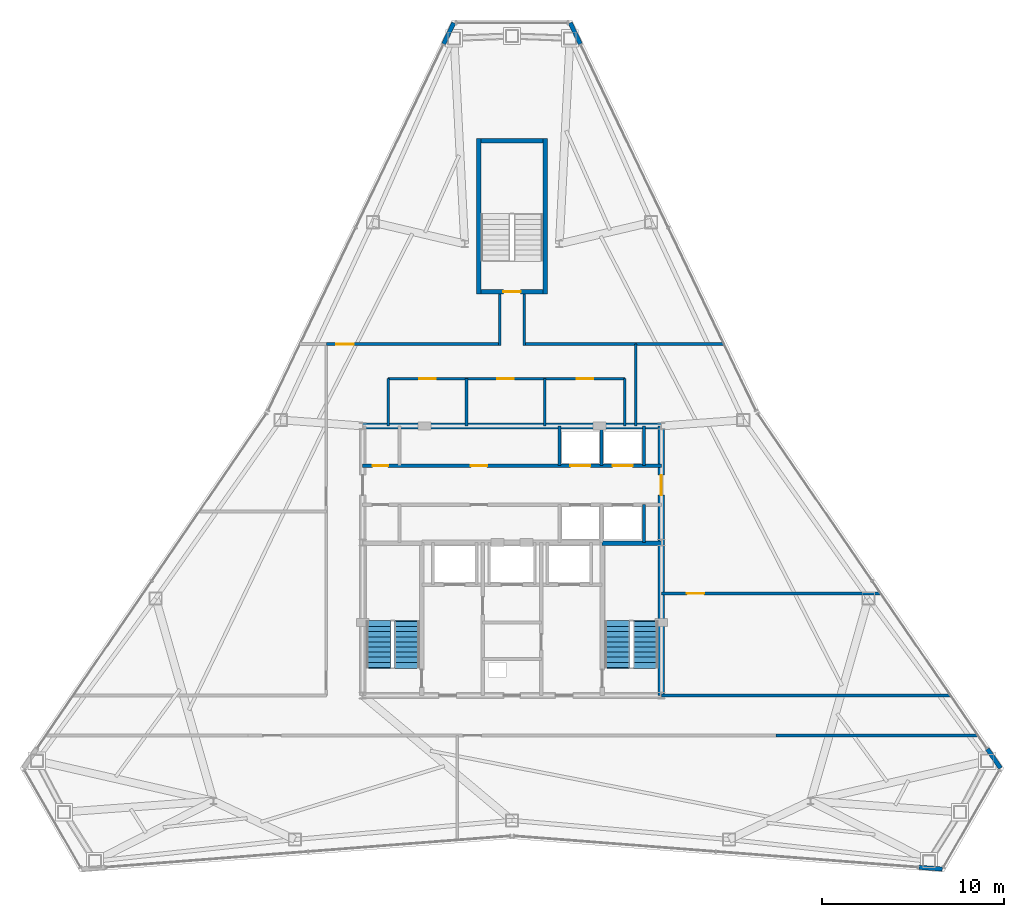
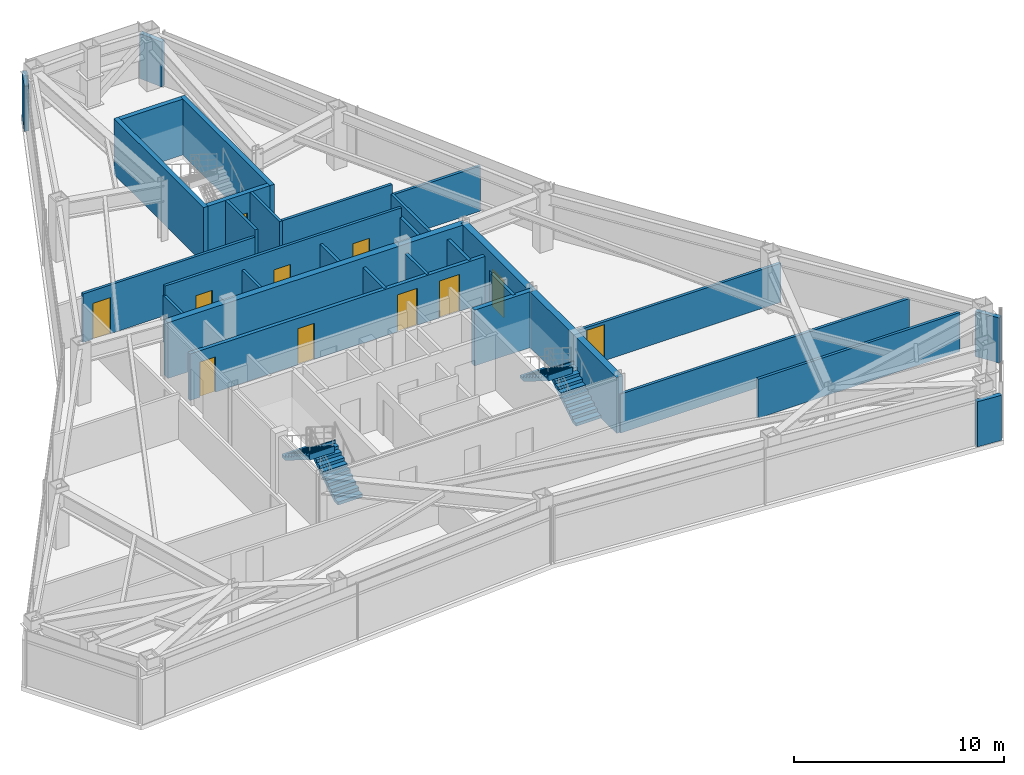
# One storey, part 10 of 12: 30 walls, 11 doors, 4 stair flights, 11 openings, 2 elements without a shape of their own.
"""IFC4 building model written with IfcOpenShell, lengths in metres."""

from ifc_helpers import new_model, si_unit, direction, frame, frame_2d, origin, place, context, subcontext, project, spatial, polyline, rectangle, outline, extrude, material, layer, layer_set, type_object, element, fill, aggregate, save


model = new_model("IFC4")

# Units and contexts
model_context = context("Model", 3, precision=1e-05, world=origin(), true_north=direction((0.0, 1.0)))
body_context = subcontext(model_context, "Body", "Model", "MODEL_VIEW")
ifc_project = project(units=[si_unit("LENGTHUNIT", "METRE"), si_unit("AREAUNIT", "SQUARE_METRE"), si_unit("VOLUMEUNIT", "CUBIC_METRE"), si_unit("PLANEANGLEUNIT", "RADIAN"), si_unit("MASSUNIT", "GRAM", prefix="KILO")], contexts=[model_context])

# Site, building, storey
site_placement = place(None, origin())
site = spatial("IfcSite", under=ifc_project, at=site_placement, CompositionType="ELEMENT")
building_placement = place(site_placement, origin())
building = spatial("IfcBuilding", under=site, at=building_placement, Name="Varakhsha Concourse Tower", CompositionType="ELEMENT")
storey_placement = place(building_placement, frame((0.0, 0.0, 222.39990234375)))
storey = spatial("IfcBuildingStorey", under=building, at=storey_placement, Name="L63", CompositionType="ELEMENT", Elevation=222.39990234375)

# Wall
ifc_material_1 = material(Name="Concrete fc 65 MPa", Category="concrete")
ifc_layer_1 = layer(ifc_material_1, 0.35009765625, Name="WL-CORE-350")
ifc_layer_set_1 = layer_set([ifc_layer_1], Name="Concrete fc 65 MPa")
wall_type_1 = type_object("IfcWallType", Name="WL-CORE-350", PredefinedType="SHEAR", material=ifc_layer_set_1)
wall_1_placement = place(storey_placement, frame((31.800048828125, 31.199951171875, 0.0), z_axis=(0.0, 0.0, 1.0), x_axis=(1.0, 0.0, 0.0)))
element("IfcWall", 1, at=wall_1_placement, inside=storey, type_object=wall_type_1, Name="L63 Wall CWALL-N-L63", PredefinedType="SHEAR", context=body_context, shape_type="SweptSolid", body=[
    extrude(rectangle(XDim=16.39990234375, YDim=0.35009765625, at=frame_2d((8.199951171875, 0.0))), origin(), (0.0, 0.0, 1.0), 3.25),
])

# Wall, opening, door
wall_2_placement = place(storey_placement, frame((48.199951171875, 16.39990234375, 0.0), z_axis=(0.0, 0.0, 1.0), x_axis=(0.0, 1.0, 0.0)))
wall_2 = element("IfcWall", 2, at=wall_2_placement, inside=storey, type_object=wall_type_1, Name="L63 Wall CWALL-E-L63", PredefinedType="SHEAR", context=body_context, shape_type="SweptSolid", body=[
    extrude(rectangle(XDim=14.800048828125, YDim=0.35009765625, at=frame_2d((7.39990234375, 0.0))), origin(), (0.0, 0.0, 1.0), 3.25),
])
opening_1_placement = place(wall_2_placement, frame((11.0, 0.0, 0.0)))
opening_1 = element("IfcOpeningElement", 3, at=opening_1_placement, cuts=wall_2, Name="Opening DL-01", PredefinedType="OPENING", context=body_context, shape_type="SweptSolid", body=[
    extrude(rectangle(XDim=1.10009765625, YDim=2.14990234375, at=frame_2d((0.550048828125, 1.074951171875))), frame((0.0, 0.18505859375, 0.0), z_axis=(0.0, -1.0, 0.0), x_axis=(1.0, 0.0, 0.0)), (0.0, 0.0, 1.0), 0.3701171875),
])
ifc_material_2 = material(Name="Anodised Bronze Architectural Aluminium AA 6063-T6", Category="aluminium")
door_type_1 = type_object("IfcDoorType", Name="DR-LOB-1100", OperationType="NOTDEFINED", PredefinedType="DOOR", material=ifc_material_2)
door_1_placement = place(opening_1_placement, origin())
door_1 = element("IfcDoor", 4, at=door_1_placement, inside=storey, type_object=door_type_1, Name="L63 Lift Lobby East Concourse Door", OperationType="SINGLE_SWING_RIGHT", OverallHeight=2.14990234375, OverallWidth=1.10009765625, PredefinedType="DOOR", context=body_context, shape_type="SweptSolid", body=[
    extrude(rectangle(XDim=1.10009765625, YDim=2.14990234375, at=frame_2d((0.550048828125, 1.074951171875))), frame((0.0, 0.02490234375, 0.0), z_axis=(0.0, -1.0, 0.0), x_axis=(1.0, 0.0, 0.0)), (0.0, 0.0, 1.0), 0.050048828125),
])
fill(opening_1, door_1)

# Walls
ifc_material_3 = material(Name="Concrete fc 45 MPa", Category="concrete")
ifc_layer_2 = layer(ifc_material_3, 0.239990234375, Name="WL-EXT-CRN-240")
ifc_layer_set_2 = layer_set([ifc_layer_2], Name="Concrete fc 45 MPa")
wall_type_2 = type_object("IfcWallType", Name="WL-EXT-CRN-240", PredefinedType="SHEAR", material=ifc_layer_set_2)
wall_3_placement = place(storey_placement, frame((36.7998046875, 53.33544921875, 0.0), z_axis=(0.0, 0.0, 1.0), x_axis=(-0.431865736831, -0.901937905485, 0.0)))
element("IfcWall", 5, at=wall_3_placement, inside=storey, type_object=wall_type_2, Name="L63 Wind-Corner Shoulder Wall F2", PredefinedType="SHEAR", context=body_context, shape_type="SweptSolid", body=[
    extrude(rectangle(XDim=1.284423828125, YDim=0.239990234375, at=frame_2d((0.64208984375, 0.0))), origin(), (0.0, 0.0, 1.0), 2.623046875),
])
wall_4_placement = place(storey_placement, frame((62.351318359375, 6.959716796875, 0.0), z_axis=(0.0, 0.0, 1.0), x_axis=(0.997033205721, -0.076972635974, 0.0)))
element("IfcWall", 6, at=wall_4_placement, inside=storey, type_object=wall_type_2, Name="L63 Wind-Corner Shoulder Wall F6", PredefinedType="SHEAR", context=body_context, shape_type="SweptSolid", body=[
    extrude(rectangle(XDim=1.28466796875, YDim=0.239990234375, at=frame_2d((0.642333984375, 0.0))), origin(), (0.0, 0.0, 1.0), 2.623046875),
])
for number, where, z_axis, x_axis, name in (
    (7, (66.832275390625, 12.40380859375, 0.0), (0.0, 0.0, 1.0), (-0.565269764291, 0.824906111978, 0.0), "L63 Wind-Corner Shoulder Wall F8"),
    (8, (43.7548828125, 52.177001953125, 0.0), (0.0, 0.0, 1.0), (-0.431865736831, 0.901937905485, 0.0), "L63 Wind-Corner Shoulder Wall F9"),
):
    element("IfcWall", number, at=place(storey_placement, frame(where, z_axis=z_axis, x_axis=x_axis)), inside=storey, type_object=wall_type_2, Name=name, PredefinedType="SHEAR", context=body_context, shape_type="SweptSolid", body=[
        extrude(rectangle(XDim=1.284423828125, YDim=0.239990234375, at=frame_2d((0.64208984375, 0.0))), origin(), (0.0, 0.0, 1.0), 2.623046875),
    ])

# Wall, openings, doors
ifc_material_4 = material(Name="Fire-Rated Type X Gypsum Partition Assembly", Category="gypsum")
ifc_layer_3 = layer(ifc_material_4, 0.14990234375, Name="WL-PART-150")
ifc_layer_set_3 = layer_set([ifc_layer_3], Name="Fire-Rated Type X Gypsum Partition Assembly")
wall_type_3 = type_object("IfcWallType", Name="WL-PART-150", PredefinedType="PARTITIONING", material=ifc_layer_set_3)
wall_5_placement = place(storey_placement, frame((33.199951171875, 33.800048828125, 0.0), z_axis=(0.0, 0.0, 1.0), x_axis=(1.0, 0.0, 0.0)))
wall_5 = element("IfcWall", 9, at=wall_5_placement, inside=storey, type_object=wall_type_3, Name="L63 Wall NBOH-N-L63", PredefinedType="PARTITIONING", context=body_context, shape_type="SweptSolid", body=[
    extrude(rectangle(XDim=13.0, YDim=0.14990234375, at=frame_2d((6.5, 0.0))), origin(), (0.0, 0.0, 1.0), 3.25),
])
opening_2_placement = place(wall_5_placement, frame((1.699951171875, 0.0, 0.0)))
opening_2 = element("IfcOpeningElement", 10, at=opening_2_placement, cuts=wall_5, Name="Opening DF-06", PredefinedType="OPENING", context=body_context, shape_type="SweptSolid", body=[
    extrude(rectangle(XDim=0.89990234375, YDim=2.10009765625, at=frame_2d((0.449951171875, 1.050048828125))), frame((0.0, 0.0849609375, 0.0), z_axis=(0.0, -1.0, 0.0), x_axis=(1.0, 0.0, 0.0)), (0.0, 0.0, 1.0), 0.169921875),
])
opening_3_placement = place(wall_5_placement, frame((6.0, 0.0, 0.0)))
opening_3 = element("IfcOpeningElement", 11, at=opening_3_placement, cuts=wall_5, Name="Opening DF-06", PredefinedType="OPENING", context=body_context, shape_type="SweptSolid", body=[
    extrude(rectangle(XDim=0.89990234375, YDim=2.10009765625, at=frame_2d((0.449951171875, 1.050048828125))), frame((0.0, 0.0849609375, 0.0), z_axis=(0.0, -1.0, 0.0), x_axis=(1.0, 0.0, 0.0)), (0.0, 0.0, 1.0), 0.169921875),
])
opening_4_placement = place(wall_5_placement, frame((10.35009765625, 0.0, 0.0)))
opening_4 = element("IfcOpeningElement", 12, at=opening_4_placement, cuts=wall_5, Name="Opening DF-06", PredefinedType="OPENING", context=body_context, shape_type="SweptSolid", body=[
    extrude(rectangle(XDim=0.89990234375, YDim=2.10009765625, at=frame_2d((0.449951171875, 1.050048828125))), frame((0.0, 0.0849609375, 0.0), z_axis=(0.0, -1.0, 0.0), x_axis=(1.0, 0.0, 0.0)), (0.0, 0.0, 1.0), 0.169921875),
])
ifc_material_5 = material(Name="Hollow Galvanised Steel Fire Door Assembly", Category="steel")
door_type_2 = type_object("IfcDoorType", Name="DR-FD60-900", OperationType="NOTDEFINED", PredefinedType="DOOR", material=ifc_material_5)
door_2_placement = place(opening_2_placement, origin())
door_2 = element("IfcDoor", 13, at=door_2_placement, inside=storey, type_object=door_type_2, Name="L63 Men Restroom WC Door", OperationType="SINGLE_SWING_LEFT", OverallHeight=2.10009765625, OverallWidth=0.89990234375, PredefinedType="DOOR", context=body_context, shape_type="SweptSolid", body=[
    extrude(rectangle(XDim=0.89990234375, YDim=2.10009765625, at=frame_2d((0.449951171875, 1.050048828125))), frame((0.0, 0.02490234375, 0.0), z_axis=(0.0, -1.0, 0.0), x_axis=(1.0, 0.0, 0.0)), (0.0, 0.0, 1.0), 0.050048828125),
])
fill(opening_2, door_2)
door_3_placement = place(opening_3_placement, origin())
door_3 = element("IfcDoor", 14, at=door_3_placement, inside=storey, type_object=door_type_2, Name="L63 Women Restroom WC Door", OperationType="SINGLE_SWING_RIGHT", OverallHeight=2.10009765625, OverallWidth=0.89990234375, PredefinedType="DOOR", context=body_context, shape_type="SweptSolid", body=[
    extrude(rectangle(XDim=0.89990234375, YDim=2.10009765625, at=frame_2d((0.449951171875, 1.050048828125))), frame((0.0, 0.02490234375, 0.0), z_axis=(0.0, -1.0, 0.0), x_axis=(1.0, 0.0, 0.0)), (0.0, 0.0, 1.0), 0.050048828125),
])
fill(opening_3, door_3)
door_4_placement = place(opening_4_placement, origin())
door_4 = element("IfcDoor", 15, at=door_4_placement, inside=storey, type_object=door_type_2, Name="L63 Accessible WC Door", OperationType="SINGLE_SWING_LEFT", OverallHeight=2.10009765625, OverallWidth=0.89990234375, PredefinedType="DOOR", context=body_context, shape_type="SweptSolid", body=[
    extrude(rectangle(XDim=0.89990234375, YDim=2.10009765625, at=frame_2d((0.449951171875, 1.050048828125))), frame((0.0, 0.02490234375, 0.0), z_axis=(0.0, -1.0, 0.0), x_axis=(1.0, 0.0, 0.0)), (0.0, 0.0, 1.0), 0.050048828125),
])
fill(opening_4, door_4)

# Walls
for number, where, z_axis, x_axis, name in (
    (16, (33.199951171875, 31.199951171875, 0.0), (0.0, 0.0, 1.0), (0.0, 1.0, 0.0), "L63 Wall NBOH-W-L63"),
    (17, (46.199951171875, 31.199951171875, 0.0), (0.0, 0.0, 1.0), (0.0, 1.0, 0.0), "L63 Wall NBOH-E-L63"),
    (18, (37.5, 31.199951171875, 0.0), (0.0, 0.0, 1.0), (0.0, 1.0, 0.0), "L63 Wall NBOH-D1-L63"),
    (19, (41.800048828125, 31.199951171875, 0.0), (0.0, 0.0, 1.0), (0.0, 1.0, 0.0), "L63 Wall NBOH-D2-L63"),
):
    element("IfcWall", number, at=place(storey_placement, frame(where, z_axis=z_axis, x_axis=x_axis)), inside=storey, type_object=wall_type_3, Name=name, PredefinedType="PARTITIONING", context=body_context, shape_type="SweptSolid", body=[
        extrude(rectangle(XDim=2.60009765625, YDim=0.14990234375, at=frame_2d((1.300048828125, 0.0))), origin(), (0.0, 0.0, 1.0), 2.705078125),
    ])
wall_6_placement = place(storey_placement, frame((54.5, 14.199951171875, 0.0), z_axis=(0.0, 0.0, 1.0), x_axis=(1.0, 0.0, 0.0)))
element("IfcWall", 20, at=wall_6_placement, inside=storey, type_object=wall_type_3, Name="L63 Wall CRW-SGAL-SE-L63", PredefinedType="PARTITIONING", context=body_context, shape_type="SweptSolid", body=[
    extrude(rectangle(XDim=11.095458984375, YDim=0.14990234375, at=frame_2d((5.5478515625, 0.0))), origin(), (0.0, 0.0, 1.0), 2.26513671875),
])
wall_7_placement = place(storey_placement, frame((48.199951171875, 16.39990234375, 0.0), z_axis=(0.0, 0.0, 1.0), x_axis=(1.0, 0.0, 0.0)))
element("IfcWall", 21, at=wall_7_placement, inside=storey, type_object=wall_type_3, Name="L63 Wall CRW-SGAL-NE-L63", PredefinedType="PARTITIONING", context=body_context, shape_type="SweptSolid", body=[
    extrude(rectangle(XDim=15.888427734375, YDim=0.14990234375, at=frame_2d((7.9443359375, 0.0))), origin(), (0.0, 0.0, 1.0), 2.26513671875),
])

# Wall, opening, door
wall_8_placement = place(storey_placement, frame((29.800048828125, 35.699951171875, 0.0), z_axis=(0.0, 0.0, 1.0), x_axis=(1.0, 0.0, 0.0)))
wall_8 = element("IfcWall", 22, at=wall_8_placement, inside=storey, type_object=wall_type_3, Name="L63 Wall CRW-N-L63", PredefinedType="PARTITIONING", context=body_context, shape_type="SweptSolid", body=[
    extrude(rectangle(XDim=9.449951171875, YDim=0.14990234375, at=frame_2d((4.72509765625, 0.0))), origin(), (0.0, 0.0, 1.0), 2.8330078125),
])
opening_5_placement = place(wall_8_placement, frame((0.550048828125, 0.0, 0.0)))
opening_5 = element("IfcOpeningElement", 23, at=opening_5_placement, cuts=wall_8, Name="Opening DF-05", PredefinedType="OPENING", context=body_context, shape_type="SweptSolid", body=[
    extrude(rectangle(XDim=0.949951171875, YDim=2.10009765625, at=frame_2d((0.47509765625, 1.050048828125))), frame((0.0, 0.0849609375, 0.0), z_axis=(0.0, -1.0, 0.0), x_axis=(1.0, 0.0, 0.0)), (0.0, 0.0, 1.0), 0.169921875),
])
door_type_3 = type_object("IfcDoorType", Name="DR-FD60-950", OperationType="NOTDEFINED", PredefinedType="DOOR", material=ifc_material_5)
door_5_placement = place(opening_5_placement, origin())
door_5 = element("IfcDoor", 24, at=door_5_placement, inside=storey, type_object=door_type_3, Name="L63 Mountain View Portfolio Risk Office L63-N1 Door", OperationType="SINGLE_SWING_LEFT", OverallHeight=2.10009765625, OverallWidth=0.949951171875, PredefinedType="DOOR", context=body_context, shape_type="SweptSolid", body=[
    extrude(rectangle(XDim=0.949951171875, YDim=2.10009765625, at=frame_2d((0.47509765625, 1.050048828125))), frame((0.0, 0.02490234375, 0.0), z_axis=(0.0, -1.0, 0.0), x_axis=(1.0, 0.0, 0.0)), (0.0, 0.0, 1.0), 0.050048828125),
])
fill(opening_5, door_5)

# Walls
wall_9_placement = place(storey_placement, frame((40.75, 35.699951171875, 0.0), z_axis=(0.0, 0.0, 1.0), x_axis=(1.0, 0.0, 0.0)))
element("IfcWall", 25, at=wall_9_placement, inside=storey, type_object=wall_type_3, Name="L63 Wall CRW-N-L63-B", PredefinedType="PARTITIONING", context=body_context, shape_type="SweptSolid", body=[
    extrude(rectangle(XDim=6.050048828125, YDim=0.14990234375, at=frame_2d((3.02490234375, 0.0))), origin(), (0.0, 0.0, 1.0), 3.25),
])
wall_10_placement = place(storey_placement, frame((46.800048828125, 31.199951171875, 0.0), z_axis=(0.0, 0.0, 1.0), x_axis=(0.0, 1.0, 0.0)))
element("IfcWall", 26, at=wall_10_placement, inside=storey, type_object=wall_type_3, Name="L63 Wall CRW-NE-L63", PredefinedType="PARTITIONING", context=body_context, shape_type="SweptSolid", body=[
    extrude(rectangle(XDim=4.5, YDim=0.14990234375, at=frame_2d((2.25, 0.0))), origin(), (0.0, 0.0, 1.0), 2.705078125),
])
wall_11_placement = place(storey_placement, frame((46.800048828125, 35.699951171875, 0.0), z_axis=(0.0, 0.0, 1.0), x_axis=(1.0, 0.0, 0.0)))
element("IfcWall", 27, at=wall_11_placement, inside=storey, type_object=wall_type_3, Name="L63 Wall ODIV-EBN-L63", PredefinedType="PARTITIONING", context=body_context, shape_type="SweptSolid", body=[
    extrude(rectangle(XDim=4.8388671875, YDim=0.14990234375, at=frame_2d((2.41943359375, 0.0))), origin(), (0.0, 0.0, 1.0), 2.628173828125),
])

# Wall, opening, door
wall_12_placement = place(storey_placement, frame((48.199951171875, 22.0, 0.0), z_axis=(0.0, 0.0, 1.0), x_axis=(1.0, 0.0, 0.0)))
wall_12 = element("IfcWall", 28, at=wall_12_placement, inside=storey, type_object=wall_type_3, Name="L63 Wall ODIV-E1-L63", PredefinedType="PARTITIONING", context=body_context, shape_type="SweptSolid", body=[
    extrude(rectangle(XDim=12.052001953125, YDim=0.14990234375, at=frame_2d((6.02587890625, 0.0))), origin(), (0.0, 0.0, 1.0), 2.26513671875),
])
opening_6_placement = place(wall_12_placement, frame((1.39990234375, 0.0, 0.0)))
opening_6 = element("IfcOpeningElement", 29, at=opening_6_placement, cuts=wall_12, Name="Opening DF-05", PredefinedType="OPENING", context=body_context, shape_type="SweptSolid", body=[
    extrude(rectangle(XDim=0.949951171875, YDim=2.10009765625, at=frame_2d((0.47509765625, 1.050048828125))), frame((0.0, 0.0849609375, 0.0), z_axis=(0.0, -1.0, 0.0), x_axis=(1.0, 0.0, 0.0)), (0.0, 0.0, 1.0), 0.169921875),
])
door_6_placement = place(opening_6_placement, origin())
door_6 = element("IfcDoor", 30, at=door_6_placement, inside=storey, type_object=door_type_3, Name="L63 East Suite Interconnect Door 1", OperationType="SINGLE_SWING_LEFT", OverallHeight=2.10009765625, OverallWidth=0.949951171875, PredefinedType="DOOR", context=body_context, shape_type="SweptSolid", body=[
    extrude(rectangle(XDim=0.949951171875, YDim=2.10009765625, at=frame_2d((0.47509765625, 1.050048828125))), frame((0.0, 0.02490234375, 0.0), z_axis=(0.0, -1.0, 0.0), x_axis=(1.0, 0.0, 0.0)), (0.0, 0.0, 1.0), 0.050048828125),
])
fill(opening_6, door_6)

# Walls
for number, where, z_axis, x_axis, name in (
    (31, (39.324951171875, 35.625, 0.0), (0.0, 0.0, 1.0), (0.0, 1.0, 0.0), "L63 Wall STUB-W-L63"),
    (32, (40.675048828125, 35.625, 0.0), (0.0, 0.0, 1.0), (0.0, 1.0, 0.0), "L63 Wall STUB-E-L63"),
):
    element("IfcWall", number, at=place(storey_placement, frame(where, z_axis=z_axis, x_axis=x_axis)), inside=storey, type_object=wall_type_3, Name=name, PredefinedType="PARTITIONING", context=body_context, shape_type="SweptSolid", body=[
        extrude(rectangle(XDim=2.824951171875, YDim=0.14990234375, at=frame_2d((1.41259765625, 0.0))), origin(), (0.0, 0.0, 1.0), 3.25),
    ])

# Wall, openings, doors
ifc_layer_4 = layer(ifc_material_4, 0.199951171875, Name="WL-SHAFT-220")
ifc_layer_set_4 = layer_set([ifc_layer_4], Name="Fire-Rated Type X Gypsum Partition Assembly")
wall_type_4 = type_object("IfcWallType", Name="WL-SHAFT-220", PredefinedType="SOLIDWALL", material=ifc_layer_set_4)
wall_13_placement = place(storey_placement, frame((31.800048828125, 29.02001953125, 0.0), z_axis=(0.0, 0.0, 1.0), x_axis=(1.0, 0.0, 0.0)))
wall_13 = element("IfcWall", 33, at=wall_13_placement, inside=storey, type_object=wall_type_4, Name="L63 Wall PLW-N-L63", PredefinedType="SOLIDWALL", context=body_context, shape_type="SweptSolid", body=[
    extrude(rectangle(XDim=16.39990234375, YDim=0.199951171875, at=frame_2d((8.199951171875, 0.0))), origin(), (0.0, 0.0, 1.0), 2.705078125),
])
opening_7_placement = place(wall_13_placement, frame((0.550048828125, 0.0, 0.0)))
opening_7 = element("IfcOpeningElement", 34, at=opening_7_placement, cuts=wall_13, Name="Opening DF-07", PredefinedType="OPENING", context=body_context, shape_type="SweptSolid", body=[
    extrude(rectangle(XDim=0.85009765625, YDim=2.050048828125, at=frame_2d((0.425048828125, 1.02490234375))), frame((0.0, 0.10986328125, 0.0), z_axis=(0.0, -1.0, 0.0), x_axis=(1.0, 0.0, 0.0)), (0.0, 0.0, 1.0), 0.219970703125),
])
opening_8_placement = place(wall_13_placement, frame((5.93994140625, 0.0, 0.0)))
opening_8 = element("IfcOpeningElement", 35, at=opening_8_placement, cuts=wall_13, Name="Opening DF-06", PredefinedType="OPENING", context=body_context, shape_type="SweptSolid", body=[
    extrude(rectangle(XDim=0.89990234375, YDim=2.10009765625, at=frame_2d((0.449951171875, 1.050048828125))), frame((0.0, 0.10986328125, 0.0), z_axis=(0.0, -1.0, 0.0), x_axis=(1.0, 0.0, 0.0)), (0.0, 0.0, 1.0), 0.219970703125),
])
opening_9_placement = place(wall_13_placement, frame((11.409912109375, 0.0, 0.0)))
opening_9 = element("IfcOpeningElement", 36, at=opening_9_placement, cuts=wall_13, Name="Opening LD-LF-P09", PredefinedType="OPENING", context=body_context, shape_type="SweptSolid", body=[
    extrude(rectangle(XDim=1.10009765625, YDim=2.14990234375, at=frame_2d((0.550048828125, 1.074951171875))), frame((0.0, 0.10986328125, 0.0), z_axis=(0.0, -1.0, 0.0), x_axis=(1.0, 0.0, 0.0)), (0.0, 0.0, 1.0), 0.219970703125),
])
opening_10_placement = place(wall_13_placement, frame((13.72998046875, 0.0, 0.0)))
opening_10 = element("IfcOpeningElement", 37, at=opening_10_placement, cuts=wall_13, Name="Opening LD-LF-P10", PredefinedType="OPENING", context=body_context, shape_type="SweptSolid", body=[
    extrude(rectangle(XDim=1.10009765625, YDim=2.14990234375, at=frame_2d((0.550048828125, 1.074951171875))), frame((0.0, 0.10986328125, 0.0), z_axis=(0.0, -1.0, 0.0), x_axis=(1.0, 0.0, 0.0)), (0.0, 0.0, 1.0), 0.219970703125),
])
door_type_4 = type_object("IfcDoorType", Name="DR-FD60-850", OperationType="NOTDEFINED", PredefinedType="DOOR", material=ifc_material_5)
door_7_placement = place(opening_7_placement, origin())
door_7 = element("IfcDoor", 38, at=door_7_placement, inside=storey, type_object=door_type_4, Name="L63 Core Janitor Closet Door", OperationType="SINGLE_SWING_LEFT", OverallHeight=2.050048828125, OverallWidth=0.85009765625, PredefinedType="DOOR", context=body_context, shape_type="SweptSolid", body=[
    extrude(rectangle(XDim=0.85009765625, YDim=2.050048828125, at=frame_2d((0.425048828125, 1.02490234375))), frame((0.0, 0.02490234375, 0.0), z_axis=(0.0, -1.0, 0.0), x_axis=(1.0, 0.0, 0.0)), (0.0, 0.0, 1.0), 0.050048828125),
])
fill(opening_7, door_7)
door_8_placement = place(opening_8_placement, origin())
door_8 = element("IfcDoor", 39, at=door_8_placement, inside=storey, type_object=door_type_2, Name="L63 Tenant Archive and IT Server Room Door", OperationType="SINGLE_SWING_LEFT", OverallHeight=2.10009765625, OverallWidth=0.89990234375, PredefinedType="DOOR", context=body_context, shape_type="SweptSolid", body=[
    extrude(rectangle(XDim=0.89990234375, YDim=2.10009765625, at=frame_2d((0.449951171875, 1.050048828125))), frame((0.0, 0.02490234375, 0.0), z_axis=(0.0, -1.0, 0.0), x_axis=(1.0, 0.0, 0.0)), (0.0, 0.0, 1.0), 0.050048828125),
])
fill(opening_8, door_8)
ifc_material_6 = material(Name="Brushed Austenitic Stainless Steel AISI 316", Category="steel")
door_type_5 = type_object("IfcDoorType", Name="DR-LD-1100", OperationType="DOUBLE_DOOR_SLIDING", PredefinedType="DOOR", material=ifc_material_6)
door_9_placement = place(opening_9_placement, origin())
door_9 = element("IfcDoor", 40, at=door_9_placement, inside=storey, type_object=door_type_5, Name="Lift Landing Door LF-P09 L63", OperationType="DOUBLE_DOOR_SLIDING", OverallHeight=2.14990234375, OverallWidth=1.10009765625, PredefinedType="DOOR", context=body_context, shape_type="SweptSolid", body=[
    extrude(rectangle(XDim=1.10009765625, YDim=2.14990234375, at=frame_2d((0.550048828125, 1.074951171875))), frame((0.0, 0.02490234375, 0.0), z_axis=(0.0, -1.0, 0.0), x_axis=(1.0, 0.0, 0.0)), (0.0, 0.0, 1.0), 0.050048828125),
])
fill(opening_9, door_9)
door_10_placement = place(opening_10_placement, origin())
door_10 = element("IfcDoor", 41, at=door_10_placement, inside=storey, type_object=door_type_5, Name="Lift Landing Door LF-P10 L63", OperationType="DOUBLE_DOOR_SLIDING", OverallHeight=2.14990234375, OverallWidth=1.10009765625, PredefinedType="DOOR", context=body_context, shape_type="SweptSolid", body=[
    extrude(rectangle(XDim=1.10009765625, YDim=2.14990234375, at=frame_2d((0.550048828125, 1.074951171875))), frame((0.0, 0.02490234375, 0.0), z_axis=(0.0, -1.0, 0.0), x_axis=(1.0, 0.0, 0.0)), (0.0, 0.0, 1.0), 0.050048828125),
])
fill(opening_10, door_10)

# Walls
for number, where, z_axis, x_axis, name in (
    (42, (42.60009765625, 29.02001953125, 0.0), (0.0, 0.0, 1.0), (0.0, 1.0, 0.0), "L63 Wall SHW-LF-P09-W-L63"),
    (43, (44.919921875, 29.02001953125, 0.0), (0.0, 0.0, 1.0), (0.0, 1.0, 0.0), "L63 Wall SHW-LF-P09-E-L63"),
    (44, (47.239990234375, 29.02001953125, 0.0), (0.0, 0.0, 1.0), (0.0, 1.0, 0.0), "L63 Wall SHW-LF-P10-E-L63"),
):
    element("IfcWall", number, at=place(storey_placement, frame(where, z_axis=z_axis, x_axis=x_axis)), inside=storey, type_object=wall_type_4, Name=name, PredefinedType="SOLIDWALL", context=body_context, shape_type="SweptSolid", body=[
        extrude(rectangle(XDim=2.179931640625, YDim=0.159912109375, at=frame_2d((1.08984375, 0.0))), origin(), (0.0, 0.0, 1.0), 2.705078125),
    ])
wall_14_placement = place(storey_placement, frame((47.239990234375, 24.800048828125, 0.0), z_axis=(0.0, 0.0, 1.0), x_axis=(0.0, 1.0, 0.0)))
element("IfcWall", 45, at=wall_14_placement, inside=storey, type_object=wall_type_4, Name="L63 Wall SHW-LF-P12-E-L63", PredefinedType="SOLIDWALL", context=body_context, shape_type="SweptSolid", body=[
    extrude(rectangle(XDim=2.079833984375, YDim=0.159912109375, at=frame_2d((1.0400390625, 0.0))), origin(), (0.0, 0.0, 1.0), 3.25),
])
ifc_layer_5 = layer(ifc_material_3, 0.25, Name="WL-STAIR-250")
ifc_layer_set_5 = layer_set([ifc_layer_5], Name="Concrete fc 45 MPa")
wall_type_5 = type_object("IfcWallType", Name="WL-STAIR-250", PredefinedType="SHEAR", material=ifc_layer_set_5)
wall_15_placement = place(storey_placement, frame((44.955078125, 24.7548828125, 0.0), z_axis=(0.0, 0.0, 1.0), x_axis=(1.0, 0.0, 0.0)))
element("IfcWall", 46, at=wall_15_placement, inside=storey, type_object=wall_type_5, Name="L63 Wall SWALL-ST2-N-L63", PredefinedType="SHEAR", context=body_context, shape_type="SweptSolid", body=[
    extrude(rectangle(XDim=3.244873046875, YDim=0.25, at=frame_2d((1.62255859375, 0.0))), origin(), (0.0, 0.0, 1.0), 3.25),
])
for number, where, z_axis, x_axis, name in (
    (47, (38.175048828125, 38.449951171875, 0.0), (0.0, 0.0, 1.0), (0.0, 1.0, 0.0), "L63 Wall SWALL-ST5-W-L63"),
    (48, (41.824951171875, 38.449951171875, 0.0), (0.0, 0.0, 1.0), (0.0, 1.0, 0.0), "L63 Wall SWALL-ST5-E-L63"),
):
    element("IfcWall", number, at=place(storey_placement, frame(where, z_axis=z_axis, x_axis=x_axis)), inside=storey, type_object=wall_type_5, Name=name, PredefinedType="SHEAR", context=body_context, shape_type="SweptSolid", body=[
        extrude(rectangle(XDim=8.550048828125, YDim=0.25, at=frame_2d((4.27490234375, 0.0))), origin(), (0.0, 0.0, 1.0), 3.25),
    ])

# Wall, opening, door
wall_16_placement = place(storey_placement, frame((38.300048828125, 38.574951171875, 0.0), z_axis=(0.0, 0.0, 1.0), x_axis=(1.0, 0.0, 0.0)))
wall_16 = element("IfcWall", 49, at=wall_16_placement, inside=storey, type_object=wall_type_5, Name="L63 Wall SWALL-ST5-S-L63", PredefinedType="SHEAR", context=body_context, shape_type="SweptSolid", body=[
    extrude(rectangle(XDim=3.39990234375, YDim=0.25, at=frame_2d((1.699951171875, 0.0))), origin(), (0.0, 0.0, 1.0), 3.25),
])
opening_11_placement = place(wall_16_placement, frame((1.22509765625, 0.0, 0.0)))
opening_11 = element("IfcOpeningElement", 50, at=opening_11_placement, cuts=wall_16, Name="Opening DF-03", PredefinedType="OPENING", context=body_context, shape_type="SweptSolid", body=[
    extrude(rectangle(XDim=0.949951171875, YDim=2.10009765625, at=frame_2d((0.47509765625, 1.050048828125))), frame((0.0, 0.135009765625, 0.0), z_axis=(0.0, -1.0, 0.0), x_axis=(1.0, 0.0, 0.0)), (0.0, 0.0, 1.0), 0.27001953125),
])
door_type_6 = type_object("IfcDoorType", Name="DR-FD90-950", OperationType="NOTDEFINED", PredefinedType="DOOR", material=ifc_material_5)
door_11_placement = place(opening_11_placement, origin())
door_11 = element("IfcDoor", 51, at=door_11_placement, inside=storey, type_object=door_type_6, Name="L63 Stair ST5 Fire Door", OperationType="SINGLE_SWING_RIGHT", OverallHeight=2.10009765625, OverallWidth=0.949951171875, PredefinedType="DOOR", context=body_context, shape_type="SweptSolid", body=[
    extrude(rectangle(XDim=0.949951171875, YDim=2.10009765625, at=frame_2d((0.47509765625, 1.050048828125))), frame((0.0, 0.02490234375, 0.0), z_axis=(0.0, -1.0, 0.0), x_axis=(1.0, 0.0, 0.0)), (0.0, 0.0, 1.0), 0.050048828125),
])
fill(opening_11, door_11)

# Wall
wall_17_placement = place(storey_placement, frame((38.300048828125, 46.875, 0.0), z_axis=(0.0, 0.0, 1.0), x_axis=(1.0, 0.0, 0.0)))
element("IfcWall", 52, at=wall_17_placement, inside=storey, type_object=wall_type_5, Name="L63 Wall SWALL-ST5-N-L63", PredefinedType="SHEAR", context=body_context, shape_type="SweptSolid", body=[
    extrude(rectangle(XDim=3.39990234375, YDim=0.25, at=frame_2d((1.699951171875, 0.0))), origin(), (0.0, 0.0, 1.0), 3.25),
])

# Stair, stair flights
stair_type = type_object("IfcStairType", Name="ST-DOGLEG-1360", PredefinedType="HALF_TURN_STAIR", material=ifc_material_3)
stair_1_placement = place(storey_placement, origin())
stair_1 = element("IfcStair", 53, at=stair_1_placement, inside=storey, type_object=stair_type, Name="L63 Protected Exit Stair ST1", PredefinedType="HALF_TURN_STAIR")
stair_flight_type = type_object("IfcStairFlightType", Name="STF-1360-R1750", PredefinedType="STRAIGHT", material=ifc_material_3)
stair_flight_1_placement = place(storey_placement, frame((34.239990234375, 17.93994140625, 0.0), z_axis=(0.0, 0.0, 1.0), x_axis=(0.0, 1.0, 0.0)))
stair_flight_1 = element("IfcStairFlight", 54, at=stair_flight_1_placement, type_object=stair_flight_type, Name="ST1 flight 1", NumberOfRisers=10, NumberOfTreads=9, PredefinedType="STRAIGHT", RiserHeight=0.175, TreadLength=0.28, context=body_context, shape_type="SweptSolid", body=[
    extrude(outline(polyline([(-0.06005859375, 0.0), (-0.06005859375, 0.175048828125), (0.0, 0.175048828125), (0.280029296875, 0.175048828125), (0.280029296875, 0.35009765625), (0.56005859375, 0.35009765625), (0.56005859375, 0.52490234375), (0.840087890625, 0.52490234375), (0.840087890625, 0.699951171875), (1.1201171875, 0.699951171875), (1.1201171875, 0.875), (1.39990234375, 0.875), (1.39990234375, 1.050048828125), (1.679931640625, 1.050048828125), (1.679931640625, 1.22509765625), (1.9599609375, 1.22509765625), (1.9599609375, 1.39990234375), (2.239990234375, 1.39990234375), (2.239990234375, 1.574951171875), (2.52001953125, 1.574951171875), (2.52001953125, 1.75), (2.580078125, 1.75), (2.580078125, 1.398193359375), (2.52001953125, 1.398193359375), (0.28271484375, 0.0), (-0.06005859375, 0.0)])), frame((0.0, 0.68017578125, 0.0), z_axis=(0.0, -1.0, 0.0), x_axis=(1.0, 0.0, 0.0)), (0.0, 0.0, 1.0), 1.360107421875),
])
stair_flight_2_placement = place(storey_placement, frame((32.679931640625, 20.4599609375, 1.75), z_axis=(0.0, 0.0, 1.0), x_axis=(0.0, -1.0, 0.0)))
stair_flight_2 = element("IfcStairFlight", 55, at=stair_flight_2_placement, type_object=stair_flight_type, Name="ST1 flight 2", NumberOfRisers=10, NumberOfTreads=9, PredefinedType="STRAIGHT", RiserHeight=0.175, TreadLength=0.28, context=body_context, shape_type="SweptSolid", body=[
    extrude(outline(polyline([(-0.06005859375, 0.0), (-0.06005859375, 0.175048828125), (0.0, 0.175048828125), (0.280029296875, 0.175048828125), (0.280029296875, 0.35009765625), (0.56005859375, 0.35009765625), (0.56005859375, 0.52490234375), (0.840087890625, 0.52490234375), (0.840087890625, 0.699951171875), (1.1201171875, 0.699951171875), (1.1201171875, 0.875), (1.39990234375, 0.875), (1.39990234375, 1.050048828125), (1.679931640625, 1.050048828125), (1.679931640625, 1.22509765625), (1.9599609375, 1.22509765625), (1.9599609375, 1.39990234375), (2.239990234375, 1.39990234375), (2.239990234375, 1.574951171875), (2.52001953125, 1.574951171875), (2.52001953125, 1.75), (2.580078125, 1.75), (2.580078125, 1.398193359375), (2.52001953125, 1.398193359375), (0.28271484375, 0.0), (-0.06005859375, 0.0)])), frame((0.0, 0.68017578125, 0.0), z_axis=(0.0, -1.0, 0.0), x_axis=(1.0, 0.0, 0.0)), (0.0, 0.0, 1.0), 1.360107421875),
])
aggregate(stair_1, [stair_flight_1, stair_flight_2])

stair_2_placement = place(storey_placement, origin())
stair_2 = element("IfcStair", 56, at=stair_2_placement, inside=storey, type_object=stair_type, Name="L63 Protected Exit Stair ST2", PredefinedType="HALF_TURN_STAIR")
stair_flight_3_placement = place(storey_placement, frame((47.340087890625, 17.93994140625, 0.0), z_axis=(0.0, 0.0, 1.0), x_axis=(0.0, 1.0, 0.0)))
stair_flight_3 = element("IfcStairFlight", 57, at=stair_flight_3_placement, type_object=stair_flight_type, Name="ST2 flight 1", NumberOfRisers=10, NumberOfTreads=9, PredefinedType="STRAIGHT", RiserHeight=0.175, TreadLength=0.28, context=body_context, shape_type="SweptSolid", body=[
    extrude(outline(polyline([(-0.06005859375, 0.0), (-0.06005859375, 0.175048828125), (0.0, 0.175048828125), (0.280029296875, 0.175048828125), (0.280029296875, 0.35009765625), (0.56005859375, 0.35009765625), (0.56005859375, 0.52490234375), (0.840087890625, 0.52490234375), (0.840087890625, 0.699951171875), (1.1201171875, 0.699951171875), (1.1201171875, 0.875), (1.39990234375, 0.875), (1.39990234375, 1.050048828125), (1.679931640625, 1.050048828125), (1.679931640625, 1.22509765625), (1.9599609375, 1.22509765625), (1.9599609375, 1.39990234375), (2.239990234375, 1.39990234375), (2.239990234375, 1.574951171875), (2.52001953125, 1.574951171875), (2.52001953125, 1.75), (2.580078125, 1.75), (2.580078125, 1.398193359375), (2.52001953125, 1.398193359375), (0.28271484375, 0.0), (-0.06005859375, 0.0)])), frame((0.0, 0.68017578125, 0.0), z_axis=(0.0, -1.0, 0.0), x_axis=(1.0, 0.0, 0.0)), (0.0, 0.0, 1.0), 1.360107421875),
])
stair_flight_4_placement = place(storey_placement, frame((45.780029296875, 20.4599609375, 1.75), z_axis=(0.0, 0.0, 1.0), x_axis=(0.0, -1.0, 0.0)))
stair_flight_4 = element("IfcStairFlight", 58, at=stair_flight_4_placement, type_object=stair_flight_type, Name="ST2 flight 2", NumberOfRisers=10, NumberOfTreads=9, PredefinedType="STRAIGHT", RiserHeight=0.175, TreadLength=0.28, context=body_context, shape_type="SweptSolid", body=[
    extrude(outline(polyline([(-0.06005859375, 0.0), (-0.06005859375, 0.175048828125), (0.0, 0.175048828125), (0.280029296875, 0.175048828125), (0.280029296875, 0.35009765625), (0.56005859375, 0.35009765625), (0.56005859375, 0.52490234375), (0.840087890625, 0.52490234375), (0.840087890625, 0.699951171875), (1.1201171875, 0.699951171875), (1.1201171875, 0.875), (1.39990234375, 0.875), (1.39990234375, 1.050048828125), (1.679931640625, 1.050048828125), (1.679931640625, 1.22509765625), (1.9599609375, 1.22509765625), (1.9599609375, 1.39990234375), (2.239990234375, 1.39990234375), (2.239990234375, 1.574951171875), (2.52001953125, 1.574951171875), (2.52001953125, 1.75), (2.580078125, 1.75), (2.580078125, 1.398193359375), (2.52001953125, 1.398193359375), (0.28271484375, 0.0), (-0.06005859375, 0.0)])), frame((0.0, 0.68017578125, 0.0), z_axis=(0.0, -1.0, 0.0), x_axis=(1.0, 0.0, 0.0)), (0.0, 0.0, 1.0), 1.360107421875),
])
aggregate(stair_2, [stair_flight_3, stair_flight_4])

save(model, "model.ifc")
